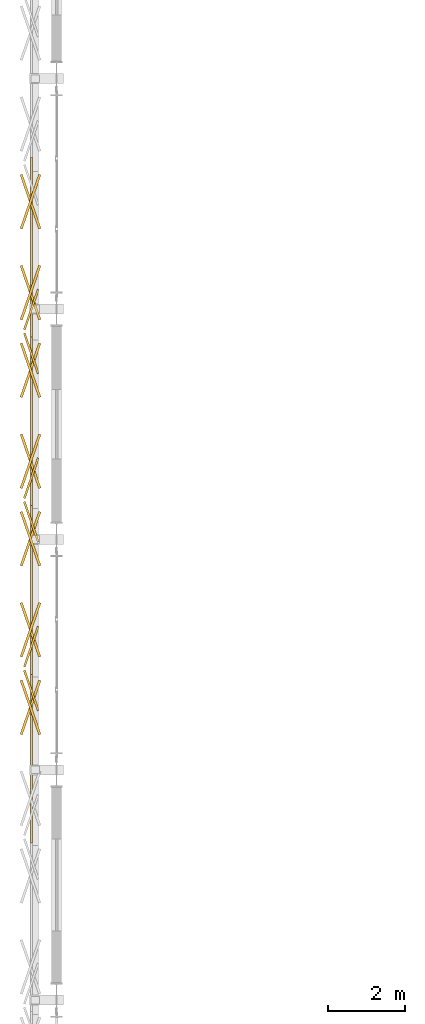
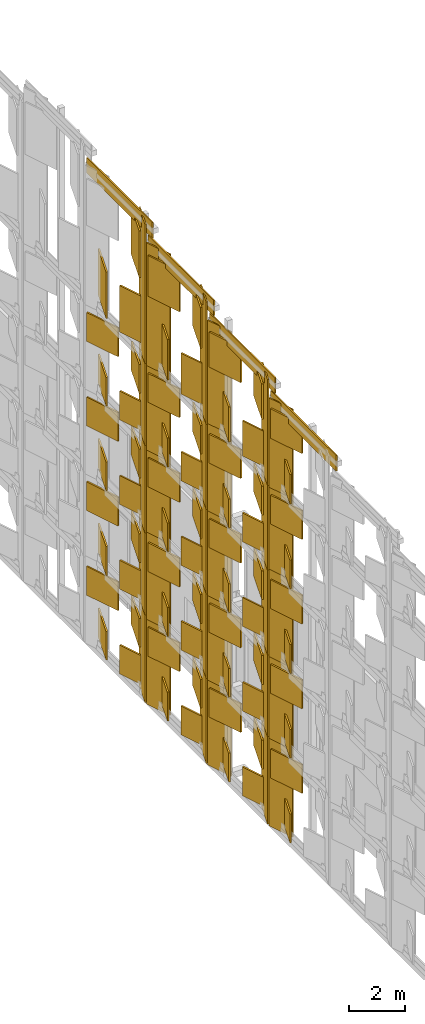
# One storey, part 191 of 210: 103 coverings.
"""IFC4 building model written with IfcOpenShell, lengths in metres."""

import ifcopenshell
import ifcopenshell.guid

model = None  # the IFC model being written
_history = None  # IfcOwnerHistory: only IFC2X3 demands one
_inside = {}  # id of a spatial element -> (the spatial element, [elements in it])
_under = {}  # id of a project, library or spatial element -> (it, [spatial elements below it])
_declared = {}  # id of a project -> (the project, [libraries it declares])
_typed = {}  # id of a type object -> (the type object, [elements of that type])
_made_of = {}  # id of a material, layer set ... -> (it, [elements and type objects made of it])


def new_model(schema):
    """Start an empty IFC model of exactly this schema.

    Asked for "IFC4X3", IfcOpenShell would pick the latest addendum, in which some entities
    have other attributes; the version numbers below select the first issue.
    IFC2X3 requires an IfcOwnerHistory on every rooted entity: one is made here for all.
    """
    global model, _history
    if schema == "IFC4X3":
        model = ifcopenshell.file(schema_version=(4, 3, 0, 0))
    else:
        model = ifcopenshell.file(schema=schema)
    _inside.clear()
    _under.clear()
    _declared.clear()
    _typed.clear()
    _made_of.clear()
    _history = None
    if model.schema == "IFC2X3":
        org = make("IfcOrganization", Name="unknown")
        user = make(
            "IfcPersonAndOrganization",
            ThePerson=make("IfcPerson", FamilyName="unknown"),
            TheOrganization=org,
        )
        app = make(
            "IfcApplication",
            ApplicationDeveloper=org,
            Version="unknown",
            ApplicationFullName="unknown",
            ApplicationIdentifier="unknown",
        )
        _history = make(
            "IfcOwnerHistory",
            OwningUser=user,
            OwningApplication=app,
            ChangeAction="ADDED",
            CreationDate=0,
        )
    return model


def make(cls, **values):
    """One entity of the class cls with the attributes given. An attribute that is None is left unset."""
    return model.create_entity(
        cls, **{name: value for name, value in values.items() if value is not None}
    )


def rooted(cls, **values):
    """An entity with a GlobalId (a new one), such as an element, a storey or a relation."""
    return make(cls, GlobalId=ifcopenshell.guid.new(), OwnerHistory=_history, **values)


def si_unit(unit_type, name, prefix=None):
    """IfcSIUnit, for example si_unit("LENGTHUNIT", "METRE", prefix="MILLI")."""
    return make("IfcSIUnit", UnitType=unit_type, Prefix=prefix, Name=name)


def assignment(units):
    """IfcUnitAssignment: the units of a project."""
    return None if units is None else make("IfcUnitAssignment", Units=units)


def point(xyz):
    """IfcCartesianPoint."""
    return None if xyz is None else make("IfcCartesianPoint", Coordinates=xyz)


def direction(xyz):
    """IfcDirection."""
    return None if xyz is None else make("IfcDirection", DirectionRatios=xyz)


def frame(location, z_axis=None, x_axis=None):
    """IfcAxis2Placement3D, a coordinate frame: its origin and axes. An axis left out is left unset."""
    return make(
        "IfcAxis2Placement3D",
        Location=point(location),
        Axis=direction(z_axis),
        RefDirection=direction(x_axis),
    )


def frame_2d(location, x_axis=None):
    """IfcAxis2Placement2D, a coordinate frame in the plane: its origin and x axis."""
    return make(
        "IfcAxis2Placement2D", Location=point(location), RefDirection=direction(x_axis)
    )


def origin():
    """The frame at (0, 0, 0) with its axes left unset."""
    return frame((0.0, 0.0, 0.0))


def origin_2d():
    """The frame at (0, 0) in the plane with its x axis left unset."""
    return frame_2d((0.0, 0.0))


def place(relative_to, where):
    """IfcLocalPlacement: puts the frame where relative to a parent placement (None: the world)."""
    return make(
        "IfcLocalPlacement", PlacementRelTo=relative_to, RelativePlacement=where
    )


def context(
    kind, dimensions, precision=None, world=None, true_north=None, identifier=None
):
    """IfcGeometricRepresentationContext, for example the 3D "Model" context."""
    return make(
        "IfcGeometricRepresentationContext",
        ContextIdentifier=identifier,
        ContextType=kind,
        CoordinateSpaceDimension=dimensions,
        Precision=precision,
        WorldCoordinateSystem=world,
        TrueNorth=true_north,
    )


def subcontext(parent, identifier, kind, view, scale=None):
    """IfcGeometricRepresentationSubContext, for example "Body" below "Model"."""
    return make(
        "IfcGeometricRepresentationSubContext",
        ContextIdentifier=identifier,
        ContextType=kind,
        ParentContext=parent,
        TargetScale=scale,
        TargetView=view,
    )


def project(units=None, contexts=None):
    """IfcProject with its units and contexts."""
    return rooted(
        "IfcProject",
        Name="project",
        RepresentationContexts=contexts,
        UnitsInContext=assignment(units),
    )


def spatial(cls, under=None, at=None, **own):
    """A site, building, storey or space (cls), placed at a placement, below another one or the project."""
    s = rooted(cls, ObjectPlacement=at, **own)
    if under is not None:
        _under.setdefault(under.id(), (under, []))[1].append(s)
    return s


def profile(cls, at=None, kind="AREA", **sizes):
    """A parametric profile (cls). Its sizes go by their IFC names, for example OverallWidth=200.0."""
    return make(cls, ProfileType=kind, Position=at, **sizes)


def rectangle(**sizes):
    """IfcRectangleProfileDef."""
    return profile("IfcRectangleProfileDef", **sizes)


def extrude(swept, where, along, depth):
    """IfcExtrudedAreaSolid: the profile swept, set in the frame where, extruded along a direction by depth."""
    return make(
        "IfcExtrudedAreaSolid",
        SweptArea=swept,
        Position=where,
        ExtrudedDirection=direction(along),
        Depth=depth,
    )


def shape(context_of_items, identifier, shape_type, items):
    """IfcShapeRepresentation: the items that make up one representation, for example the "Body"."""
    return make(
        "IfcShapeRepresentation",
        ContextOfItems=context_of_items,
        RepresentationIdentifier=identifier,
        RepresentationType=shape_type,
        Items=items,
    )


def material(Name=None, Category=None):
    """IfcMaterial."""
    return make("IfcMaterial", Name=Name, Category=Category)


def layer(
    of_material, thickness, ventilated=None, Name=None, Category=None, Priority=None
):
    """IfcMaterialLayer: one layer of a wall or slab, of a material (None: an air gap)."""
    return make(
        "IfcMaterialLayer",
        Material=of_material,
        LayerThickness=thickness,
        IsVentilated=ventilated,
        Name=Name,
        Category=Category,
        Priority=Priority,
    )


def layer_set(layers, Name=None):
    """IfcMaterialLayerSet."""
    return make("IfcMaterialLayerSet", MaterialLayers=layers, LayerSetName=Name)


def made_of(thing, what):
    """Note that an element or type object is made of a material, layer set ...; save() writes the relation."""
    if what is not None:
        _made_of.setdefault(what.id(), (what, []))[1].append(thing)
    return thing


def type_object(cls, material=None, **own):
    """A type object (cls), such as IfcWallType, which elements share."""
    return made_of(rooted(cls, **own), material)


def element(
    cls,
    number,
    at=None,
    inside=None,
    cuts=None,
    type_object=None,
    material=None,
    context=None,
    identifier="Body",
    shape_type=None,
    held_by="IfcProductDefinitionShape",
    body=None,
    shapes=None,
    **own,
):
    """One element of the class cls, such as IfcWall. Its Tag is "e" and its number.

    at: its placement. inside: the storey or other place that contains it. cuts: it is an
    opening in that element (IfcRelVoidsElement). A single representation is given by context,
    identifier, shape_type and body (its items); several are given by shapes. held_by: the class
    of the entity that holds the representations. save() writes the other relations.
    """
    e = rooted(cls, Tag="e%d" % number, ObjectPlacement=at, **own)
    if body is not None:
        shapes = [shape(context, identifier, shape_type, body)]
    if shapes is not None:
        e.Representation = make(held_by, Representations=shapes)
    if inside is not None:
        _inside.setdefault(inside.id(), (inside, []))[1].append(e)
    if cuts is not None:
        rooted(
            "IfcRelVoidsElement", RelatingBuildingElement=cuts, RelatedOpeningElement=e
        )
    if type_object is not None:
        _typed.setdefault(type_object.id(), (type_object, []))[1].append(e)
    return made_of(e, material)


def aggregate(whole, parts):
    """IfcRelAggregates: a whole, such as a stair, and the parts it consists of."""
    return rooted("IfcRelAggregates", RelatingObject=whole, RelatedObjects=parts)


def save(model, path):
    """Write the relations noted so far, then the file.

    IfcRelAggregates (storeys below a building ...), IfcRelContainedInSpatialStructure (elements
    in a storey), IfcRelDefinesByType, IfcRelAssociatesMaterial and IfcRelDeclares: one each for
    every whole, place, type object, material and project.
    """
    for whole, parts in _under.values():
        aggregate(whole, parts)
    for where, things in _inside.values():
        rooted(
            "IfcRelContainedInSpatialStructure",
            RelatedElements=things,
            RelatingStructure=where,
        )
    for kind, things in _typed.values():
        rooted("IfcRelDefinesByType", RelatedObjects=things, RelatingType=kind)
    for what, things in _made_of.values():
        rooted("IfcRelAssociatesMaterial", RelatedObjects=things, RelatingMaterial=what)
    for by, libraries in _declared.values():
        rooted("IfcRelDeclares", RelatingContext=by, RelatedDefinitions=libraries)
    model.write(path)


model = new_model("IFC4")

# Units and contexts
model_context = context("Model", 3, precision=1e-05, world=origin(), true_north=direction((0.0, 1.0)))
body_context = subcontext(model_context, "Body", "Model", "MODEL_VIEW")
ifc_project = project(units=[si_unit("LENGTHUNIT", "METRE"), si_unit("AREAUNIT", "SQUARE_METRE"), si_unit("VOLUMEUNIT", "CUBIC_METRE"), si_unit("PLANEANGLEUNIT", "RADIAN"), si_unit("MASSUNIT", "GRAM", prefix="KILO")], contexts=[model_context])

# Site, building, storey
site_placement = place(None, origin())
site = spatial("IfcSite", under=ifc_project, at=site_placement, CompositionType="ELEMENT")
building_placement = place(site_placement, origin())
building = spatial("IfcBuilding", under=site, at=building_placement, Name="Kaldris Quays Convention Centre", CompositionType="ELEMENT")
storey_placement = place(building_placement, frame((0.0, 0.0, 6.0)))
storey = spatial("IfcBuildingStorey", under=building, at=storey_placement, Name="L01", CompositionType="ELEMENT", Elevation=6.0)

# Coverings
ifc_material = material(Name="Alabaster white star-pierced anodized aluminium panel", Category="aluminium")
ifc_layer = layer(ifc_material, 0.044921875)
ifc_layer_set = layer_set([ifc_layer], Name="Alabaster white star-pierced anodized aluminium panel")
covering_type = type_object("IfcCoveringType", Name="STAR PIERCED WHITE FOLDED SCREEN CL01", PredefinedType="CLADDING", material=ifc_layer_set)
covering_1_placement = place(storey_placement, frame((19.35009765625, 80.442138671875, 15.94091796875), z_axis=(0.0, 0.0, 1.0), x_axis=(0.0, 1.0, 0.0)))
element("IfcCovering", 1, at=covering_1_placement, inside=storey, type_object=covering_type, Name="V1W Gable White Screen Cap Band 147", PredefinedType="CLADDING", context=body_context, shape_type="SweptSolid", body=[
    extrude(rectangle(XDim=4.68896484375, YDim=0.054931640625, at=origin_2d()), origin(), (0.0, 0.0, 1.0), 0.679931640625),
])
covering_2_placement = place(storey_placement, frame((19.340087890625, 82.066162109375, -2.2099609375), z_axis=(0.0, 0.0, 1.0), x_axis=(-0.325568154457, 0.945518575599, 0.0)))
element("IfcCovering", 2, at=covering_2_placement, inside=storey, type_object=covering_type, Name="V1W Folded White Screen Stile 149", PredefinedType="CLADDING", context=body_context, shape_type="SweptSolid", body=[
    extrude(rectangle(XDim=1.114013671875, YDim=0.054931640625, at=origin_2d()), origin(), (0.0, 0.0, 1.0), 3.820068359375),
])
for number, where, z_axis, x_axis, name in (
    (3, (19.320068359375, 81.627197265625, -1.92822265625), (0.0, 0.0, 1.0), (0.325568154457, 0.945518575599, 0.0), "V1W Carved Star Corner Facet 152"),
    (4, (19.320068359375, 81.627197265625, 0.06982421875), (0.0, 0.0, 1.0), (-0.325568154457, 0.945518575599, 0.0), "V1W Carved Star Corner Facet 153"),
):
    element("IfcCovering", number, at=place(storey_placement, frame(where, z_axis=z_axis, x_axis=x_axis)), inside=storey, type_object=covering_type, Name=name, PredefinedType="CLADDING", context=body_context, shape_type="SweptSolid", body=[
        extrude(rectangle(XDim=1.491943359375, YDim=0.06494140625, at=origin_2d()), origin(), (0.0, 0.0, 1.0), 1.258056640625),
    ])
covering_3_placement = place(storey_placement, frame((19.340087890625, 82.066162109375, 1.48974609375), z_axis=(0.0, 0.0, 1.0), x_axis=(-0.325568154457, 0.945518575599, 0.0)))
element("IfcCovering", 5, at=covering_3_placement, inside=storey, type_object=covering_type, Name="V1W Folded White Screen Stile 155", PredefinedType="CLADDING", context=body_context, shape_type="SweptSolid", body=[
    extrude(rectangle(XDim=1.114013671875, YDim=0.054931640625, at=origin_2d()), origin(), (0.0, 0.0, 1.0), 3.820068359375),
])
for number, where, z_axis, x_axis, name in (
    (6, (19.320068359375, 81.627197265625, 1.77197265625), (0.0, 0.0, 1.0), (0.325568154457, 0.945518575599, 0.0), "V1W Carved Star Corner Facet 158"),
    (7, (19.320068359375, 81.627197265625, 3.77001953125), (0.0, 0.0, 1.0), (-0.325568154457, 0.945518575599, 0.0), "V1W Carved Star Corner Facet 159"),
):
    element("IfcCovering", number, at=place(storey_placement, frame(where, z_axis=z_axis, x_axis=x_axis)), inside=storey, type_object=covering_type, Name=name, PredefinedType="CLADDING", context=body_context, shape_type="SweptSolid", body=[
        extrude(rectangle(XDim=1.491943359375, YDim=0.06494140625, at=origin_2d()), origin(), (0.0, 0.0, 1.0), 1.258056640625),
    ])
covering_4_placement = place(storey_placement, frame((19.340087890625, 82.066162109375, 5.18994140625), z_axis=(0.0, 0.0, 1.0), x_axis=(-0.325568154457, 0.945518575599, 0.0)))
element("IfcCovering", 8, at=covering_4_placement, inside=storey, type_object=covering_type, Name="V1W Folded White Screen Stile 161", PredefinedType="CLADDING", context=body_context, shape_type="SweptSolid", body=[
    extrude(rectangle(XDim=1.114013671875, YDim=0.054931640625, at=origin_2d()), origin(), (0.0, 0.0, 1.0), 3.820068359375),
])
for number, where, z_axis, x_axis, name in (
    (9, (19.320068359375, 81.627197265625, 5.47216796875), (0.0, 0.0, 1.0), (0.325568154457, 0.945518575599, 0.0), "V1W Carved Star Corner Facet 164"),
    (10, (19.320068359375, 81.627197265625, 7.47021484375), (0.0, 0.0, 1.0), (-0.325568154457, 0.945518575599, 0.0), "V1W Carved Star Corner Facet 165"),
):
    element("IfcCovering", number, at=place(storey_placement, frame(where, z_axis=z_axis, x_axis=x_axis)), inside=storey, type_object=covering_type, Name=name, PredefinedType="CLADDING", context=body_context, shape_type="SweptSolid", body=[
        extrude(rectangle(XDim=1.491943359375, YDim=0.06494140625, at=origin_2d()), origin(), (0.0, 0.0, 1.0), 1.258056640625),
    ])
covering_5_placement = place(storey_placement, frame((19.340087890625, 82.066162109375, 8.89013671875), z_axis=(0.0, 0.0, 1.0), x_axis=(-0.325568154457, 0.945518575599, 0.0)))
element("IfcCovering", 11, at=covering_5_placement, inside=storey, type_object=covering_type, Name="V1W Folded White Screen Stile 167", PredefinedType="CLADDING", context=body_context, shape_type="SweptSolid", body=[
    extrude(rectangle(XDim=1.114013671875, YDim=0.054931640625, at=origin_2d()), origin(), (0.0, 0.0, 1.0), 3.820068359375),
])
for number, where, z_axis, x_axis, name in (
    (12, (19.320068359375, 81.627197265625, 9.171875), (0.0, 0.0, 1.0), (0.325568154457, 0.945518575599, 0.0), "V1W Carved Star Corner Facet 170"),
    (13, (19.320068359375, 81.627197265625, 11.169921875), (0.0, 0.0, 1.0), (-0.325568154457, 0.945518575599, 0.0), "V1W Carved Star Corner Facet 171"),
):
    element("IfcCovering", number, at=place(storey_placement, frame(where, z_axis=z_axis, x_axis=x_axis)), inside=storey, type_object=covering_type, Name=name, PredefinedType="CLADDING", context=body_context, shape_type="SweptSolid", body=[
        extrude(rectangle(XDim=1.491943359375, YDim=0.06494140625, at=origin_2d()), origin(), (0.0, 0.0, 1.0), 1.258056640625),
    ])
covering_6_placement = place(storey_placement, frame((19.340087890625, 82.066162109375, 12.590087890625), z_axis=(0.0, 0.0, 1.0), x_axis=(-0.325568154457, 0.945518575599, 0.0)))
element("IfcCovering", 14, at=covering_6_placement, inside=storey, type_object=covering_type, Name="V1W Folded White Screen Stile 173", PredefinedType="CLADDING", context=body_context, shape_type="SweptSolid", body=[
    extrude(rectangle(XDim=1.114013671875, YDim=0.054931640625, at=origin_2d()), origin(), (0.0, 0.0, 1.0), 3.90087890625),
])
for number, where, z_axis, x_axis, name in (
    (15, (19.320068359375, 81.627197265625, 12.87646484375), (0.0, 0.0, 1.0), (0.325568154457, 0.945518575599, 0.0), "V1W Carved Star Corner Facet 176"),
    (16, (19.320068359375, 81.627197265625, 14.91845703125), (0.0, 0.0, 1.0), (-0.325568154457, 0.945518575599, 0.0), "V1W Carved Star Corner Facet 177"),
):
    element("IfcCovering", number, at=place(storey_placement, frame(where, z_axis=z_axis, x_axis=x_axis)), inside=storey, type_object=covering_type, Name=name, PredefinedType="CLADDING", context=body_context, shape_type="SweptSolid", body=[
        extrude(rectangle(XDim=1.491943359375, YDim=0.06494140625, at=origin_2d()), origin(), (0.0, 0.0, 1.0), 1.285888671875),
    ])
covering_7_placement = place(storey_placement, frame((19.35009765625, 84.83154296875, 16.6728515625), z_axis=(0.0, 0.0, 1.0), x_axis=(0.0, 1.0, 0.0)))
element("IfcCovering", 17, at=covering_7_placement, inside=storey, type_object=covering_type, Name="V1W Gable White Screen Cap Band 178", PredefinedType="CLADDING", context=body_context, shape_type="SweptSolid", body=[
    extrude(rectangle(XDim=4.68896484375, YDim=0.054931640625, at=origin_2d()), origin(), (0.0, 0.0, 1.0), 0.679931640625),
])
for number, where, z_axis, x_axis, name in (
    (18, (19.340087890625, 83.20751953125, -2.2099609375), (0.0, 0.0, 1.0), (0.325568154457, 0.945518575599, 0.0), "V1W Folded White Screen Stile 179"),
    (19, (19.340087890625, 86.455810546875, -2.2099609375), (0.0, 0.0, 1.0), (-0.325568154457, 0.945518575599, 0.0), "V1W Folded White Screen Stile 180"),
):
    element("IfcCovering", number, at=place(storey_placement, frame(where, z_axis=z_axis, x_axis=x_axis)), inside=storey, type_object=covering_type, Name=name, PredefinedType="CLADDING", context=body_context, shape_type="SweptSolid", body=[
        extrude(rectangle(XDim=1.114013671875, YDim=0.054931640625, at=origin_2d()), origin(), (0.0, 0.0, 1.0), 3.820068359375),
    ])
for number, where, z_axis, x_axis, name in (
    (20, (19.320068359375, 83.646484375, -1.92822265625), (0.0, 0.0, 1.0), (-0.325568154457, 0.945518575599, 0.0), "V1W Carved Star Corner Facet 181"),
    (21, (19.320068359375, 83.646484375, 0.06982421875), (0.0, 0.0, 1.0), (0.325568154457, 0.945518575599, 0.0), "V1W Carved Star Corner Facet 182"),
    (22, (19.320068359375, 86.0166015625, -1.92822265625), (0.0, 0.0, 1.0), (0.325568154457, 0.945518575599, 0.0), "V1W Carved Star Corner Facet 183"),
    (23, (19.320068359375, 86.0166015625, 0.06982421875), (0.0, 0.0, 1.0), (-0.325568154457, 0.945518575599, 0.0), "V1W Carved Star Corner Facet 184"),
):
    element("IfcCovering", number, at=place(storey_placement, frame(where, z_axis=z_axis, x_axis=x_axis)), inside=storey, type_object=covering_type, Name=name, PredefinedType="CLADDING", context=body_context, shape_type="SweptSolid", body=[
        extrude(rectangle(XDim=1.491943359375, YDim=0.06494140625, at=origin_2d()), origin(), (0.0, 0.0, 1.0), 1.258056640625),
    ])
for number, where, z_axis, x_axis, name in (
    (24, (19.340087890625, 83.20751953125, 1.48974609375), (0.0, 0.0, 1.0), (0.325568154457, 0.945518575599, 0.0), "V1W Folded White Screen Stile 185"),
    (25, (19.340087890625, 86.455810546875, 1.48974609375), (0.0, 0.0, 1.0), (-0.325568154457, 0.945518575599, 0.0), "V1W Folded White Screen Stile 186"),
):
    element("IfcCovering", number, at=place(storey_placement, frame(where, z_axis=z_axis, x_axis=x_axis)), inside=storey, type_object=covering_type, Name=name, PredefinedType="CLADDING", context=body_context, shape_type="SweptSolid", body=[
        extrude(rectangle(XDim=1.114013671875, YDim=0.054931640625, at=origin_2d()), origin(), (0.0, 0.0, 1.0), 3.820068359375),
    ])
for number, where, z_axis, x_axis, name in (
    (26, (19.320068359375, 83.646484375, 1.77197265625), (0.0, 0.0, 1.0), (-0.325568154457, 0.945518575599, 0.0), "V1W Carved Star Corner Facet 187"),
    (27, (19.320068359375, 83.646484375, 3.77001953125), (0.0, 0.0, 1.0), (0.325568154457, 0.945518575599, 0.0), "V1W Carved Star Corner Facet 188"),
    (28, (19.320068359375, 86.0166015625, 1.77197265625), (0.0, 0.0, 1.0), (0.325568154457, 0.945518575599, 0.0), "V1W Carved Star Corner Facet 189"),
    (29, (19.320068359375, 86.0166015625, 3.77001953125), (0.0, 0.0, 1.0), (-0.325568154457, 0.945518575599, 0.0), "V1W Carved Star Corner Facet 190"),
):
    element("IfcCovering", number, at=place(storey_placement, frame(where, z_axis=z_axis, x_axis=x_axis)), inside=storey, type_object=covering_type, Name=name, PredefinedType="CLADDING", context=body_context, shape_type="SweptSolid", body=[
        extrude(rectangle(XDim=1.491943359375, YDim=0.06494140625, at=origin_2d()), origin(), (0.0, 0.0, 1.0), 1.258056640625),
    ])
for number, where, z_axis, x_axis, name in (
    (30, (19.340087890625, 83.20751953125, 5.18994140625), (0.0, 0.0, 1.0), (0.325568154457, 0.945518575599, 0.0), "V1W Folded White Screen Stile 191"),
    (31, (19.340087890625, 86.455810546875, 5.18994140625), (0.0, 0.0, 1.0), (-0.325568154457, 0.945518575599, 0.0), "V1W Folded White Screen Stile 192"),
):
    element("IfcCovering", number, at=place(storey_placement, frame(where, z_axis=z_axis, x_axis=x_axis)), inside=storey, type_object=covering_type, Name=name, PredefinedType="CLADDING", context=body_context, shape_type="SweptSolid", body=[
        extrude(rectangle(XDim=1.114013671875, YDim=0.054931640625, at=origin_2d()), origin(), (0.0, 0.0, 1.0), 3.820068359375),
    ])
for number, where, z_axis, x_axis, name in (
    (32, (19.320068359375, 83.646484375, 5.47216796875), (0.0, 0.0, 1.0), (-0.325568154457, 0.945518575599, 0.0), "V1W Carved Star Corner Facet 193"),
    (33, (19.320068359375, 83.646484375, 7.47021484375), (0.0, 0.0, 1.0), (0.325568154457, 0.945518575599, 0.0), "V1W Carved Star Corner Facet 194"),
    (34, (19.320068359375, 86.0166015625, 5.47216796875), (0.0, 0.0, 1.0), (0.325568154457, 0.945518575599, 0.0), "V1W Carved Star Corner Facet 195"),
    (35, (19.320068359375, 86.0166015625, 7.47021484375), (0.0, 0.0, 1.0), (-0.325568154457, 0.945518575599, 0.0), "V1W Carved Star Corner Facet 196"),
):
    element("IfcCovering", number, at=place(storey_placement, frame(where, z_axis=z_axis, x_axis=x_axis)), inside=storey, type_object=covering_type, Name=name, PredefinedType="CLADDING", context=body_context, shape_type="SweptSolid", body=[
        extrude(rectangle(XDim=1.491943359375, YDim=0.06494140625, at=origin_2d()), origin(), (0.0, 0.0, 1.0), 1.258056640625),
    ])
for number, where, z_axis, x_axis, name in (
    (36, (19.340087890625, 83.20751953125, 8.89013671875), (0.0, 0.0, 1.0), (0.325568154457, 0.945518575599, 0.0), "V1W Folded White Screen Stile 197"),
    (37, (19.340087890625, 86.455810546875, 8.89013671875), (0.0, 0.0, 1.0), (-0.325568154457, 0.945518575599, 0.0), "V1W Folded White Screen Stile 198"),
):
    element("IfcCovering", number, at=place(storey_placement, frame(where, z_axis=z_axis, x_axis=x_axis)), inside=storey, type_object=covering_type, Name=name, PredefinedType="CLADDING", context=body_context, shape_type="SweptSolid", body=[
        extrude(rectangle(XDim=1.114013671875, YDim=0.054931640625, at=origin_2d()), origin(), (0.0, 0.0, 1.0), 3.820068359375),
    ])
for number, where, z_axis, x_axis, name in (
    (38, (19.320068359375, 83.646484375, 9.171875), (0.0, 0.0, 1.0), (-0.325568154457, 0.945518575599, 0.0), "V1W Carved Star Corner Facet 199"),
    (39, (19.320068359375, 83.646484375, 11.169921875), (0.0, 0.0, 1.0), (0.325568154457, 0.945518575599, 0.0), "V1W Carved Star Corner Facet 200"),
    (40, (19.320068359375, 86.0166015625, 9.171875), (0.0, 0.0, 1.0), (0.325568154457, 0.945518575599, 0.0), "V1W Carved Star Corner Facet 201"),
    (41, (19.320068359375, 86.0166015625, 11.169921875), (0.0, 0.0, 1.0), (-0.325568154457, 0.945518575599, 0.0), "V1W Carved Star Corner Facet 202"),
):
    element("IfcCovering", number, at=place(storey_placement, frame(where, z_axis=z_axis, x_axis=x_axis)), inside=storey, type_object=covering_type, Name=name, PredefinedType="CLADDING", context=body_context, shape_type="SweptSolid", body=[
        extrude(rectangle(XDim=1.491943359375, YDim=0.06494140625, at=origin_2d()), origin(), (0.0, 0.0, 1.0), 1.258056640625),
    ])
for number, where, z_axis, x_axis, name in (
    (42, (19.340087890625, 83.20751953125, 12.58984375), (0.0, 0.0, 1.0), (0.325568154457, 0.945518575599, 0.0), "V1W Folded White Screen Stile 203"),
    (43, (19.340087890625, 86.455810546875, 12.58984375), (0.0, 0.0, 1.0), (-0.325568154457, 0.945518575599, 0.0), "V1W Folded White Screen Stile 204"),
):
    element("IfcCovering", number, at=place(storey_placement, frame(where, z_axis=z_axis, x_axis=x_axis)), inside=storey, type_object=covering_type, Name=name, PredefinedType="CLADDING", context=body_context, shape_type="SweptSolid", body=[
        extrude(rectangle(XDim=1.114013671875, YDim=0.054931640625, at=origin_2d()), origin(), (0.0, 0.0, 1.0), 4.633056640625),
    ])
for number, where, z_axis, x_axis, name in (
    (44, (19.320068359375, 83.646484375, 12.9208984375), (0.0, 0.0, 1.0), (-0.325568154457, 0.945518575599, 0.0), "V1W Carved Star Corner Facet 205"),
    (45, (19.320068359375, 83.646484375, 15.35791015625), (0.0, 0.0, 1.0), (0.325568154457, 0.945518575599, 0.0), "V1W Carved Star Corner Facet 206"),
    (46, (19.320068359375, 86.0166015625, 12.9208984375), (0.0, 0.0, 1.0), (0.325568154457, 0.945518575599, 0.0), "V1W Carved Star Corner Facet 207"),
    (47, (19.320068359375, 86.0166015625, 15.35791015625), (0.0, 0.0, 1.0), (-0.325568154457, 0.945518575599, 0.0), "V1W Carved Star Corner Facet 208"),
):
    element("IfcCovering", number, at=place(storey_placement, frame(where, z_axis=z_axis, x_axis=x_axis)), inside=storey, type_object=covering_type, Name=name, PredefinedType="CLADDING", context=body_context, shape_type="SweptSolid", body=[
        extrude(rectangle(XDim=1.491943359375, YDim=0.06494140625, at=origin_2d()), origin(), (0.0, 0.0, 1.0), 1.533935546875),
    ])
covering_8_placement = place(storey_placement, frame((19.35009765625, 89.22119140625, 17.40380859375), z_axis=(0.0, 0.0, 1.0), x_axis=(0.0, 1.0, 0.0)))
element("IfcCovering", 48, at=covering_8_placement, inside=storey, type_object=covering_type, Name="V1W Gable White Screen Cap Band 209", PredefinedType="CLADDING", context=body_context, shape_type="SweptSolid", body=[
    extrude(rectangle(XDim=4.68896484375, YDim=0.054931640625, at=origin_2d()), origin(), (0.0, 0.0, 1.0), 0.679931640625),
])
for number, where, z_axis, x_axis, name in (
    (49, (19.340087890625, 87.596923828125, -2.2099609375), (0.0, 0.0, 1.0), (0.325568154457, 0.945518575599, 0.0), "V1W Folded White Screen Stile 210"),
    (50, (19.340087890625, 90.84521484375, -2.2099609375), (0.0, 0.0, 1.0), (-0.325568154457, 0.945518575599, 0.0), "V1W Folded White Screen Stile 211"),
):
    element("IfcCovering", number, at=place(storey_placement, frame(where, z_axis=z_axis, x_axis=x_axis)), inside=storey, type_object=covering_type, Name=name, PredefinedType="CLADDING", context=body_context, shape_type="SweptSolid", body=[
        extrude(rectangle(XDim=1.114013671875, YDim=0.054931640625, at=origin_2d()), origin(), (0.0, 0.0, 1.0), 3.820068359375),
    ])
for number, where, z_axis, x_axis, name in (
    (51, (19.320068359375, 88.035888671875, -1.92822265625), (0.0, 0.0, 1.0), (-0.325568154457, 0.945518575599, 0.0), "V1W Carved Star Corner Facet 212"),
    (52, (19.320068359375, 88.035888671875, 0.06982421875), (0.0, 0.0, 1.0), (0.325568154457, 0.945518575599, 0.0), "V1W Carved Star Corner Facet 213"),
    (53, (19.320068359375, 90.40625, -1.92822265625), (0.0, 0.0, 1.0), (0.325568154457, 0.945518575599, 0.0), "V1W Carved Star Corner Facet 214"),
    (54, (19.320068359375, 90.40625, 0.06982421875), (0.0, 0.0, 1.0), (-0.325568154457, 0.945518575599, 0.0), "V1W Carved Star Corner Facet 215"),
):
    element("IfcCovering", number, at=place(storey_placement, frame(where, z_axis=z_axis, x_axis=x_axis)), inside=storey, type_object=covering_type, Name=name, PredefinedType="CLADDING", context=body_context, shape_type="SweptSolid", body=[
        extrude(rectangle(XDim=1.491943359375, YDim=0.06494140625, at=origin_2d()), origin(), (0.0, 0.0, 1.0), 1.258056640625),
    ])
for number, where, z_axis, x_axis, name in (
    (55, (19.340087890625, 87.596923828125, 1.48974609375), (0.0, 0.0, 1.0), (0.325568154457, 0.945518575599, 0.0), "V1W Folded White Screen Stile 216"),
    (56, (19.340087890625, 90.84521484375, 1.48974609375), (0.0, 0.0, 1.0), (-0.325568154457, 0.945518575599, 0.0), "V1W Folded White Screen Stile 217"),
):
    element("IfcCovering", number, at=place(storey_placement, frame(where, z_axis=z_axis, x_axis=x_axis)), inside=storey, type_object=covering_type, Name=name, PredefinedType="CLADDING", context=body_context, shape_type="SweptSolid", body=[
        extrude(rectangle(XDim=1.114013671875, YDim=0.054931640625, at=origin_2d()), origin(), (0.0, 0.0, 1.0), 3.820068359375),
    ])
for number, where, z_axis, x_axis, name in (
    (57, (19.320068359375, 88.035888671875, 1.77197265625), (0.0, 0.0, 1.0), (-0.325568154457, 0.945518575599, 0.0), "V1W Carved Star Corner Facet 218"),
    (58, (19.320068359375, 88.035888671875, 3.77001953125), (0.0, 0.0, 1.0), (0.325568154457, 0.945518575599, 0.0), "V1W Carved Star Corner Facet 219"),
    (59, (19.320068359375, 90.40625, 1.77197265625), (0.0, 0.0, 1.0), (0.325568154457, 0.945518575599, 0.0), "V1W Carved Star Corner Facet 220"),
    (60, (19.320068359375, 90.40625, 3.77001953125), (0.0, 0.0, 1.0), (-0.325568154457, 0.945518575599, 0.0), "V1W Carved Star Corner Facet 221"),
):
    element("IfcCovering", number, at=place(storey_placement, frame(where, z_axis=z_axis, x_axis=x_axis)), inside=storey, type_object=covering_type, Name=name, PredefinedType="CLADDING", context=body_context, shape_type="SweptSolid", body=[
        extrude(rectangle(XDim=1.491943359375, YDim=0.06494140625, at=origin_2d()), origin(), (0.0, 0.0, 1.0), 1.258056640625),
    ])
for number, where, z_axis, x_axis, name in (
    (61, (19.340087890625, 87.596923828125, 5.18994140625), (0.0, 0.0, 1.0), (0.325568154457, 0.945518575599, 0.0), "V1W Folded White Screen Stile 222"),
    (62, (19.340087890625, 90.84521484375, 5.18994140625), (0.0, 0.0, 1.0), (-0.325568154457, 0.945518575599, 0.0), "V1W Folded White Screen Stile 223"),
):
    element("IfcCovering", number, at=place(storey_placement, frame(where, z_axis=z_axis, x_axis=x_axis)), inside=storey, type_object=covering_type, Name=name, PredefinedType="CLADDING", context=body_context, shape_type="SweptSolid", body=[
        extrude(rectangle(XDim=1.114013671875, YDim=0.054931640625, at=origin_2d()), origin(), (0.0, 0.0, 1.0), 3.820068359375),
    ])
for number, where, z_axis, x_axis, name in (
    (63, (19.320068359375, 88.035888671875, 5.47216796875), (0.0, 0.0, 1.0), (-0.325568154457, 0.945518575599, 0.0), "V1W Carved Star Corner Facet 224"),
    (64, (19.320068359375, 88.035888671875, 7.47021484375), (0.0, 0.0, 1.0), (0.325568154457, 0.945518575599, 0.0), "V1W Carved Star Corner Facet 225"),
    (65, (19.320068359375, 90.40625, 5.47216796875), (0.0, 0.0, 1.0), (0.325568154457, 0.945518575599, 0.0), "V1W Carved Star Corner Facet 226"),
    (66, (19.320068359375, 90.40625, 7.47021484375), (0.0, 0.0, 1.0), (-0.325568154457, 0.945518575599, 0.0), "V1W Carved Star Corner Facet 227"),
):
    element("IfcCovering", number, at=place(storey_placement, frame(where, z_axis=z_axis, x_axis=x_axis)), inside=storey, type_object=covering_type, Name=name, PredefinedType="CLADDING", context=body_context, shape_type="SweptSolid", body=[
        extrude(rectangle(XDim=1.491943359375, YDim=0.06494140625, at=origin_2d()), origin(), (0.0, 0.0, 1.0), 1.258056640625),
    ])
for number, where, z_axis, x_axis, name in (
    (67, (19.340087890625, 87.596923828125, 8.89013671875), (0.0, 0.0, 1.0), (0.325568154457, 0.945518575599, 0.0), "V1W Folded White Screen Stile 228"),
    (68, (19.340087890625, 90.84521484375, 8.89013671875), (0.0, 0.0, 1.0), (-0.325568154457, 0.945518575599, 0.0), "V1W Folded White Screen Stile 229"),
):
    element("IfcCovering", number, at=place(storey_placement, frame(where, z_axis=z_axis, x_axis=x_axis)), inside=storey, type_object=covering_type, Name=name, PredefinedType="CLADDING", context=body_context, shape_type="SweptSolid", body=[
        extrude(rectangle(XDim=1.114013671875, YDim=0.054931640625, at=origin_2d()), origin(), (0.0, 0.0, 1.0), 3.820068359375),
    ])
for number, where, z_axis, x_axis, name in (
    (69, (19.320068359375, 88.035888671875, 9.171875), (0.0, 0.0, 1.0), (-0.325568154457, 0.945518575599, 0.0), "V1W Carved Star Corner Facet 230"),
    (70, (19.320068359375, 88.035888671875, 11.169921875), (0.0, 0.0, 1.0), (0.325568154457, 0.945518575599, 0.0), "V1W Carved Star Corner Facet 231"),
    (71, (19.320068359375, 90.40625, 9.171875), (0.0, 0.0, 1.0), (0.325568154457, 0.945518575599, 0.0), "V1W Carved Star Corner Facet 232"),
    (72, (19.320068359375, 90.40625, 11.169921875), (0.0, 0.0, 1.0), (-0.325568154457, 0.945518575599, 0.0), "V1W Carved Star Corner Facet 233"),
):
    element("IfcCovering", number, at=place(storey_placement, frame(where, z_axis=z_axis, x_axis=x_axis)), inside=storey, type_object=covering_type, Name=name, PredefinedType="CLADDING", context=body_context, shape_type="SweptSolid", body=[
        extrude(rectangle(XDim=1.491943359375, YDim=0.06494140625, at=origin_2d()), origin(), (0.0, 0.0, 1.0), 1.258056640625),
    ])
for number, where, z_axis, x_axis, name in (
    (73, (19.340087890625, 87.596923828125, 12.58984375), (0.0, 0.0, 1.0), (0.325568154457, 0.945518575599, 0.0), "V1W Folded White Screen Stile 234"),
    (74, (19.340087890625, 90.84521484375, 12.58984375), (0.0, 0.0, 1.0), (-0.325568154457, 0.945518575599, 0.0), "V1W Folded White Screen Stile 235"),
):
    element("IfcCovering", number, at=place(storey_placement, frame(where, z_axis=z_axis, x_axis=x_axis)), inside=storey, type_object=covering_type, Name=name, PredefinedType="CLADDING", context=body_context, shape_type="SweptSolid", body=[
        extrude(rectangle(XDim=1.114013671875, YDim=0.054931640625, at=origin_2d()), origin(), (0.0, 0.0, 1.0), 5.364013671875),
    ])
for number, where, z_axis, x_axis, name in (
    (75, (19.320068359375, 88.035888671875, 12.96484375), (0.0, 0.0, 1.0), (-0.325568154457, 0.945518575599, 0.0), "V1W Carved Star Corner Facet 236"),
    (76, (19.320068359375, 88.035888671875, 15.79638671875), (0.0, 0.0, 1.0), (0.325568154457, 0.945518575599, 0.0), "V1W Carved Star Corner Facet 237"),
    (77, (19.320068359375, 90.40625, 12.96484375), (0.0, 0.0, 1.0), (0.325568154457, 0.945518575599, 0.0), "V1W Carved Star Corner Facet 238"),
    (78, (19.320068359375, 90.40625, 15.79638671875), (0.0, 0.0, 1.0), (-0.325568154457, 0.945518575599, 0.0), "V1W Carved Star Corner Facet 239"),
):
    element("IfcCovering", number, at=place(storey_placement, frame(where, z_axis=z_axis, x_axis=x_axis)), inside=storey, type_object=covering_type, Name=name, PredefinedType="CLADDING", context=body_context, shape_type="SweptSolid", body=[
        extrude(rectangle(XDim=1.491943359375, YDim=0.06494140625, at=origin_2d()), origin(), (0.0, 0.0, 1.0), 1.782958984375),
    ])
covering_9_placement = place(storey_placement, frame((19.35009765625, 93.610595703125, 18.13623046875), z_axis=(0.0, 0.0, 1.0), x_axis=(0.0, 1.0, 0.0)))
element("IfcCovering", 79, at=covering_9_placement, inside=storey, type_object=covering_type, Name="V1W Gable White Screen Cap Band 240", PredefinedType="CLADDING", context=body_context, shape_type="SweptSolid", body=[
    extrude(rectangle(XDim=4.68896484375, YDim=0.054931640625, at=origin_2d()), origin(), (0.0, 0.0, 1.0), 0.679931640625),
])
covering_10_placement = place(storey_placement, frame((19.340087890625, 91.986328125, -2.2099609375), z_axis=(0.0, 0.0, 1.0), x_axis=(0.325568154457, 0.945518575599, 0.0)))
element("IfcCovering", 80, at=covering_10_placement, inside=storey, type_object=covering_type, Name="V1W Folded White Screen Stile 241", PredefinedType="CLADDING", context=body_context, shape_type="SweptSolid", body=[
    extrude(rectangle(XDim=1.114013671875, YDim=0.054931640625, at=origin_2d()), origin(), (0.0, 0.0, 1.0), 3.820068359375),
])
for number, where, z_axis, x_axis, name in (
    (81, (19.320068359375, 92.42529296875, -1.92822265625), (0.0, 0.0, 1.0), (-0.325568154457, 0.945518575599, 0.0), "V1W Carved Star Corner Facet 243"),
    (82, (19.320068359375, 92.42529296875, 0.06982421875), (0.0, 0.0, 1.0), (0.325568154457, 0.945518575599, 0.0), "V1W Carved Star Corner Facet 244"),
    (83, (19.320068359375, 94.795654296875, -1.92822265625), (0.0, 0.0, 1.0), (0.325568154457, 0.945518575599, 0.0), "V1W Carved Star Corner Facet 245"),
    (84, (19.320068359375, 94.795654296875, 0.06982421875), (0.0, 0.0, 1.0), (-0.325568154457, 0.945518575599, 0.0), "V1W Carved Star Corner Facet 246"),
):
    element("IfcCovering", number, at=place(storey_placement, frame(where, z_axis=z_axis, x_axis=x_axis)), inside=storey, type_object=covering_type, Name=name, PredefinedType="CLADDING", context=body_context, shape_type="SweptSolid", body=[
        extrude(rectangle(XDim=1.491943359375, YDim=0.06494140625, at=origin_2d()), origin(), (0.0, 0.0, 1.0), 1.258056640625),
    ])
covering_11_placement = place(storey_placement, frame((19.340087890625, 91.986328125, 1.48974609375), z_axis=(0.0, 0.0, 1.0), x_axis=(0.325568154457, 0.945518575599, 0.0)))
element("IfcCovering", 85, at=covering_11_placement, inside=storey, type_object=covering_type, Name="V1W Folded White Screen Stile 247", PredefinedType="CLADDING", context=body_context, shape_type="SweptSolid", body=[
    extrude(rectangle(XDim=1.114013671875, YDim=0.054931640625, at=origin_2d()), origin(), (0.0, 0.0, 1.0), 3.820068359375),
])
for number, where, z_axis, x_axis, name in (
    (86, (19.320068359375, 92.42529296875, 1.77197265625), (0.0, 0.0, 1.0), (-0.325568154457, 0.945518575599, 0.0), "V1W Carved Star Corner Facet 249"),
    (87, (19.320068359375, 92.42529296875, 3.77001953125), (0.0, 0.0, 1.0), (0.325568154457, 0.945518575599, 0.0), "V1W Carved Star Corner Facet 250"),
    (88, (19.320068359375, 94.795654296875, 1.77197265625), (0.0, 0.0, 1.0), (0.325568154457, 0.945518575599, 0.0), "V1W Carved Star Corner Facet 251"),
    (89, (19.320068359375, 94.795654296875, 3.77001953125), (0.0, 0.0, 1.0), (-0.325568154457, 0.945518575599, 0.0), "V1W Carved Star Corner Facet 252"),
):
    element("IfcCovering", number, at=place(storey_placement, frame(where, z_axis=z_axis, x_axis=x_axis)), inside=storey, type_object=covering_type, Name=name, PredefinedType="CLADDING", context=body_context, shape_type="SweptSolid", body=[
        extrude(rectangle(XDim=1.491943359375, YDim=0.06494140625, at=origin_2d()), origin(), (0.0, 0.0, 1.0), 1.258056640625),
    ])
covering_12_placement = place(storey_placement, frame((19.340087890625, 91.986328125, 5.18994140625), z_axis=(0.0, 0.0, 1.0), x_axis=(0.325568154457, 0.945518575599, 0.0)))
element("IfcCovering", 90, at=covering_12_placement, inside=storey, type_object=covering_type, Name="V1W Folded White Screen Stile 253", PredefinedType="CLADDING", context=body_context, shape_type="SweptSolid", body=[
    extrude(rectangle(XDim=1.114013671875, YDim=0.054931640625, at=origin_2d()), origin(), (0.0, 0.0, 1.0), 3.820068359375),
])
for number, where, z_axis, x_axis, name in (
    (91, (19.320068359375, 92.42529296875, 5.47216796875), (0.0, 0.0, 1.0), (-0.325568154457, 0.945518575599, 0.0), "V1W Carved Star Corner Facet 255"),
    (92, (19.320068359375, 92.42529296875, 7.47021484375), (0.0, 0.0, 1.0), (0.325568154457, 0.945518575599, 0.0), "V1W Carved Star Corner Facet 256"),
    (93, (19.320068359375, 94.795654296875, 5.47216796875), (0.0, 0.0, 1.0), (0.325568154457, 0.945518575599, 0.0), "V1W Carved Star Corner Facet 257"),
    (94, (19.320068359375, 94.795654296875, 7.47021484375), (0.0, 0.0, 1.0), (-0.325568154457, 0.945518575599, 0.0), "V1W Carved Star Corner Facet 258"),
):
    element("IfcCovering", number, at=place(storey_placement, frame(where, z_axis=z_axis, x_axis=x_axis)), inside=storey, type_object=covering_type, Name=name, PredefinedType="CLADDING", context=body_context, shape_type="SweptSolid", body=[
        extrude(rectangle(XDim=1.491943359375, YDim=0.06494140625, at=origin_2d()), origin(), (0.0, 0.0, 1.0), 1.258056640625),
    ])
covering_13_placement = place(storey_placement, frame((19.340087890625, 91.986328125, 8.89013671875), z_axis=(0.0, 0.0, 1.0), x_axis=(0.325568154457, 0.945518575599, 0.0)))
element("IfcCovering", 95, at=covering_13_placement, inside=storey, type_object=covering_type, Name="V1W Folded White Screen Stile 259", PredefinedType="CLADDING", context=body_context, shape_type="SweptSolid", body=[
    extrude(rectangle(XDim=1.114013671875, YDim=0.054931640625, at=origin_2d()), origin(), (0.0, 0.0, 1.0), 3.820068359375),
])
for number, where, z_axis, x_axis, name in (
    (96, (19.320068359375, 92.42529296875, 9.171875), (0.0, 0.0, 1.0), (-0.325568154457, 0.945518575599, 0.0), "V1W Carved Star Corner Facet 261"),
    (97, (19.320068359375, 92.42529296875, 11.169921875), (0.0, 0.0, 1.0), (0.325568154457, 0.945518575599, 0.0), "V1W Carved Star Corner Facet 262"),
    (98, (19.320068359375, 94.795654296875, 9.171875), (0.0, 0.0, 1.0), (0.325568154457, 0.945518575599, 0.0), "V1W Carved Star Corner Facet 263"),
    (99, (19.320068359375, 94.795654296875, 11.169921875), (0.0, 0.0, 1.0), (-0.325568154457, 0.945518575599, 0.0), "V1W Carved Star Corner Facet 264"),
):
    element("IfcCovering", number, at=place(storey_placement, frame(where, z_axis=z_axis, x_axis=x_axis)), inside=storey, type_object=covering_type, Name=name, PredefinedType="CLADDING", context=body_context, shape_type="SweptSolid", body=[
        extrude(rectangle(XDim=1.491943359375, YDim=0.06494140625, at=origin_2d()), origin(), (0.0, 0.0, 1.0), 1.258056640625),
    ])
covering_14_placement = place(storey_placement, frame((19.340087890625, 91.986328125, 12.58984375), z_axis=(0.0, 0.0, 1.0), x_axis=(0.325568154457, 0.945518575599, 0.0)))
element("IfcCovering", 100, at=covering_14_placement, inside=storey, type_object=covering_type, Name="V1W Folded White Screen Stile 265", PredefinedType="CLADDING", context=body_context, shape_type="SweptSolid", body=[
    extrude(rectangle(XDim=1.114013671875, YDim=0.054931640625, at=origin_2d()), origin(), (0.0, 0.0, 1.0), 6.095947265625),
])
for number, where, z_axis, x_axis, name in (
    (101, (19.320068359375, 92.42529296875, 13.00830078125), (0.0, 0.0, 1.0), (-0.325568154457, 0.945518575599, 0.0), "V1W Carved Star Corner Facet 267"),
    (102, (19.320068359375, 92.42529296875, 16.2353515625), (0.0, 0.0, 1.0), (0.325568154457, 0.945518575599, 0.0), "V1W Carved Star Corner Facet 268"),
    (103, (19.320068359375, 94.795654296875, 13.00830078125), (0.0, 0.0, 1.0), (0.325568154457, 0.945518575599, 0.0), "V1W Carved Star Corner Facet 269"),
):
    element("IfcCovering", number, at=place(storey_placement, frame(where, z_axis=z_axis, x_axis=x_axis)), inside=storey, type_object=covering_type, Name=name, PredefinedType="CLADDING", context=body_context, shape_type="SweptSolid", body=[
        extrude(rectangle(XDim=1.491943359375, YDim=0.06494140625, at=origin_2d()), origin(), (0.0, 0.0, 1.0), 2.031982421875),
    ])

save(model, "model.ifc")
